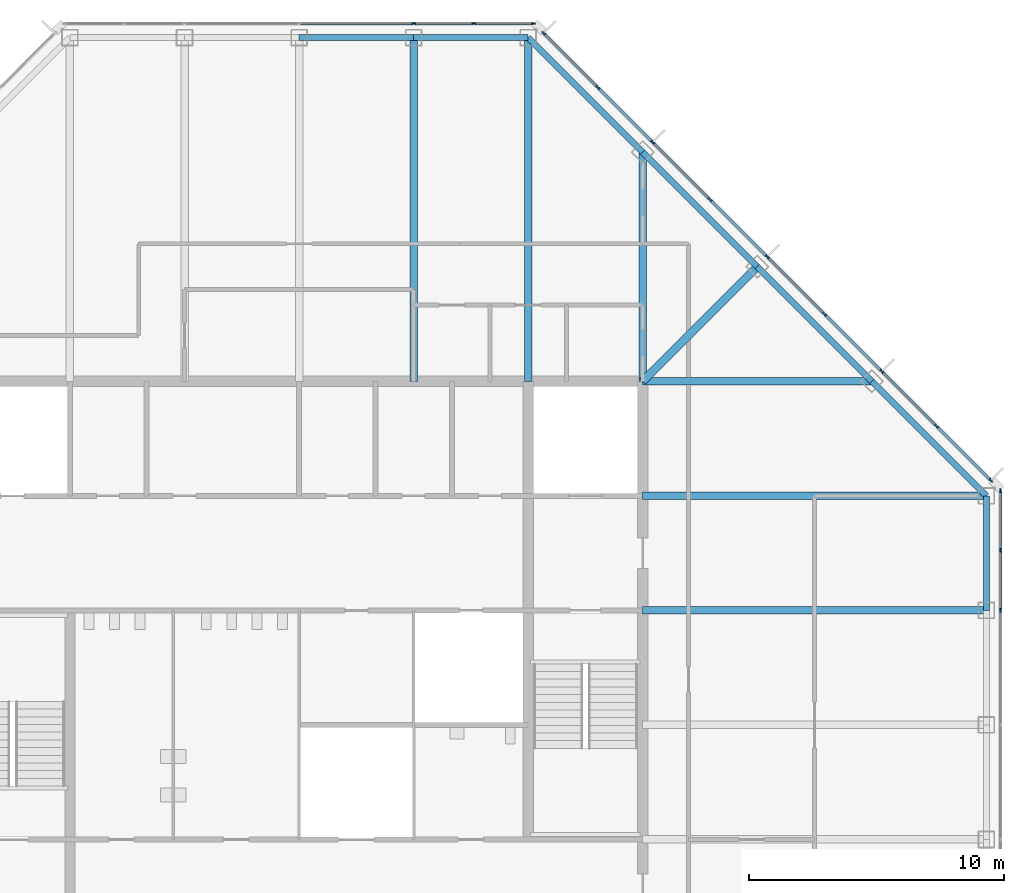
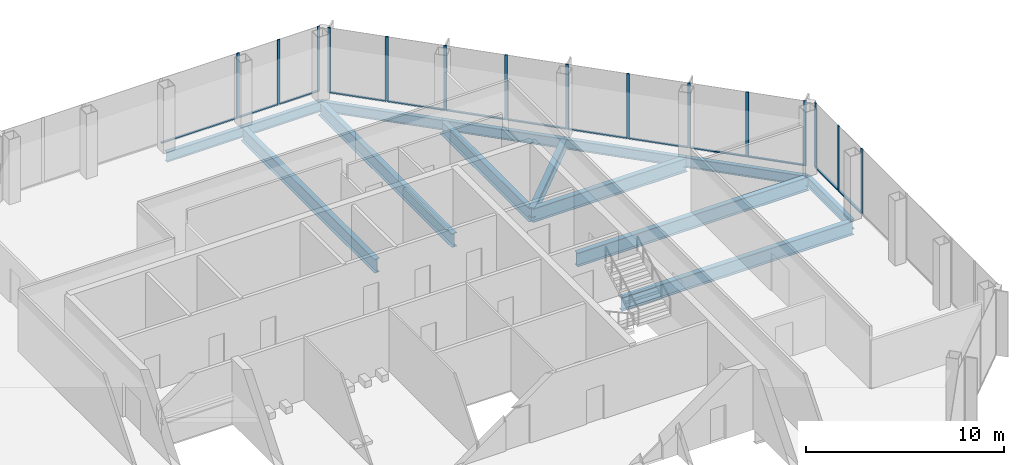
# One storey, part 7 of 14: 28 members, 14 beams, 3 elements without a shape of their own.
"""IFC4 building model written with IfcOpenShell, lengths in metres."""

import ifcopenshell
import ifcopenshell.guid

model = None  # the IFC model being written
_history = None  # IfcOwnerHistory: only IFC2X3 demands one
_inside = {}  # id of a spatial element -> (the spatial element, [elements in it])
_under = {}  # id of a project, library or spatial element -> (it, [spatial elements below it])
_declared = {}  # id of a project -> (the project, [libraries it declares])
_typed = {}  # id of a type object -> (the type object, [elements of that type])
_made_of = {}  # id of a material, layer set ... -> (it, [elements and type objects made of it])


def new_model(schema):
    """Start an empty IFC model of exactly this schema.

    Asked for "IFC4X3", IfcOpenShell would pick the latest addendum, in which some entities
    have other attributes; the version numbers below select the first issue.
    IFC2X3 requires an IfcOwnerHistory on every rooted entity: one is made here for all.
    """
    global model, _history
    if schema == "IFC4X3":
        model = ifcopenshell.file(schema_version=(4, 3, 0, 0))
    else:
        model = ifcopenshell.file(schema=schema)
    _inside.clear()
    _under.clear()
    _declared.clear()
    _typed.clear()
    _made_of.clear()
    _history = None
    if model.schema == "IFC2X3":
        org = make("IfcOrganization", Name="unknown")
        user = make(
            "IfcPersonAndOrganization",
            ThePerson=make("IfcPerson", FamilyName="unknown"),
            TheOrganization=org,
        )
        app = make(
            "IfcApplication",
            ApplicationDeveloper=org,
            Version="unknown",
            ApplicationFullName="unknown",
            ApplicationIdentifier="unknown",
        )
        _history = make(
            "IfcOwnerHistory",
            OwningUser=user,
            OwningApplication=app,
            ChangeAction="ADDED",
            CreationDate=0,
        )
    return model


def make(cls, **values):
    """One entity of the class cls with the attributes given. An attribute that is None is left unset."""
    return model.create_entity(
        cls, **{name: value for name, value in values.items() if value is not None}
    )


def rooted(cls, **values):
    """An entity with a GlobalId (a new one), such as an element, a storey or a relation."""
    return make(cls, GlobalId=ifcopenshell.guid.new(), OwnerHistory=_history, **values)


def si_unit(unit_type, name, prefix=None):
    """IfcSIUnit, for example si_unit("LENGTHUNIT", "METRE", prefix="MILLI")."""
    return make("IfcSIUnit", UnitType=unit_type, Prefix=prefix, Name=name)


def assignment(units):
    """IfcUnitAssignment: the units of a project."""
    return None if units is None else make("IfcUnitAssignment", Units=units)


def point(xyz):
    """IfcCartesianPoint."""
    return None if xyz is None else make("IfcCartesianPoint", Coordinates=xyz)


def direction(xyz):
    """IfcDirection."""
    return None if xyz is None else make("IfcDirection", DirectionRatios=xyz)


def frame(location, z_axis=None, x_axis=None):
    """IfcAxis2Placement3D, a coordinate frame: its origin and axes. An axis left out is left unset."""
    return make(
        "IfcAxis2Placement3D",
        Location=point(location),
        Axis=direction(z_axis),
        RefDirection=direction(x_axis),
    )


def frame_2d(location, x_axis=None):
    """IfcAxis2Placement2D, a coordinate frame in the plane: its origin and x axis."""
    return make(
        "IfcAxis2Placement2D", Location=point(location), RefDirection=direction(x_axis)
    )


def origin():
    """The frame at (0, 0, 0) with its axes left unset."""
    return frame((0.0, 0.0, 0.0))


def origin_2d():
    """The frame at (0, 0) in the plane with its x axis left unset."""
    return frame_2d((0.0, 0.0))


def place(relative_to, where):
    """IfcLocalPlacement: puts the frame where relative to a parent placement (None: the world)."""
    return make(
        "IfcLocalPlacement", PlacementRelTo=relative_to, RelativePlacement=where
    )


def context(
    kind, dimensions, precision=None, world=None, true_north=None, identifier=None
):
    """IfcGeometricRepresentationContext, for example the 3D "Model" context."""
    return make(
        "IfcGeometricRepresentationContext",
        ContextIdentifier=identifier,
        ContextType=kind,
        CoordinateSpaceDimension=dimensions,
        Precision=precision,
        WorldCoordinateSystem=world,
        TrueNorth=true_north,
    )


def subcontext(parent, identifier, kind, view, scale=None):
    """IfcGeometricRepresentationSubContext, for example "Body" below "Model"."""
    return make(
        "IfcGeometricRepresentationSubContext",
        ContextIdentifier=identifier,
        ContextType=kind,
        ParentContext=parent,
        TargetScale=scale,
        TargetView=view,
    )


def project(units=None, contexts=None):
    """IfcProject with its units and contexts."""
    return rooted(
        "IfcProject",
        Name="project",
        RepresentationContexts=contexts,
        UnitsInContext=assignment(units),
    )


def spatial(cls, under=None, at=None, **own):
    """A site, building, storey or space (cls), placed at a placement, below another one or the project."""
    s = rooted(cls, ObjectPlacement=at, **own)
    if under is not None:
        _under.setdefault(under.id(), (under, []))[1].append(s)
    return s


def profile(cls, at=None, kind="AREA", **sizes):
    """A parametric profile (cls). Its sizes go by their IFC names, for example OverallWidth=200.0."""
    return make(cls, ProfileType=kind, Position=at, **sizes)


def rectangle(**sizes):
    """IfcRectangleProfileDef."""
    return profile("IfcRectangleProfileDef", **sizes)


def i_section(**sizes):
    """IfcIShapeProfileDef."""
    return profile("IfcIShapeProfileDef", **sizes)


def extrude(swept, where, along, depth):
    """IfcExtrudedAreaSolid: the profile swept, set in the frame where, extruded along a direction by depth."""
    return make(
        "IfcExtrudedAreaSolid",
        SweptArea=swept,
        Position=where,
        ExtrudedDirection=direction(along),
        Depth=depth,
    )


def shape(context_of_items, identifier, shape_type, items):
    """IfcShapeRepresentation: the items that make up one representation, for example the "Body"."""
    return make(
        "IfcShapeRepresentation",
        ContextOfItems=context_of_items,
        RepresentationIdentifier=identifier,
        RepresentationType=shape_type,
        Items=items,
    )


def material(Name=None, Category=None):
    """IfcMaterial."""
    return make("IfcMaterial", Name=Name, Category=Category)


def material_profile(
    of_material, cross_section, Name=None, Category=None, Priority=None
):
    """IfcMaterialProfile: a cross section and its material."""
    return make(
        "IfcMaterialProfile",
        Name=Name,
        Material=of_material,
        Profile=cross_section,
        Priority=Priority,
        Category=Category,
    )


def profile_set(profiles, Name=None, composite=None):
    """IfcMaterialProfileSet."""
    return make(
        "IfcMaterialProfileSet",
        Name=Name,
        MaterialProfiles=profiles,
        CompositeProfile=composite,
    )


def made_of(thing, what):
    """Note that an element or type object is made of a material, layer set ...; save() writes the relation."""
    if what is not None:
        _made_of.setdefault(what.id(), (what, []))[1].append(thing)
    return thing


def type_object(cls, material=None, **own):
    """A type object (cls), such as IfcWallType, which elements share."""
    return made_of(rooted(cls, **own), material)


def element(
    cls,
    number,
    at=None,
    inside=None,
    cuts=None,
    type_object=None,
    material=None,
    context=None,
    identifier="Body",
    shape_type=None,
    held_by="IfcProductDefinitionShape",
    body=None,
    shapes=None,
    **own,
):
    """One element of the class cls, such as IfcWall. Its Tag is "e" and its number.

    at: its placement. inside: the storey or other place that contains it. cuts: it is an
    opening in that element (IfcRelVoidsElement). A single representation is given by context,
    identifier, shape_type and body (its items); several are given by shapes. held_by: the class
    of the entity that holds the representations. save() writes the other relations.
    """
    e = rooted(cls, Tag="e%d" % number, ObjectPlacement=at, **own)
    if body is not None:
        shapes = [shape(context, identifier, shape_type, body)]
    if shapes is not None:
        e.Representation = make(held_by, Representations=shapes)
    if inside is not None:
        _inside.setdefault(inside.id(), (inside, []))[1].append(e)
    if cuts is not None:
        rooted(
            "IfcRelVoidsElement", RelatingBuildingElement=cuts, RelatedOpeningElement=e
        )
    if type_object is not None:
        _typed.setdefault(type_object.id(), (type_object, []))[1].append(e)
    return made_of(e, material)


def aggregate(whole, parts):
    """IfcRelAggregates: a whole, such as a stair, and the parts it consists of."""
    return rooted("IfcRelAggregates", RelatingObject=whole, RelatedObjects=parts)


def save(model, path):
    """Write the relations noted so far, then the file.

    IfcRelAggregates (storeys below a building ...), IfcRelContainedInSpatialStructure (elements
    in a storey), IfcRelDefinesByType, IfcRelAssociatesMaterial and IfcRelDeclares: one each for
    every whole, place, type object, material and project.
    """
    for whole, parts in _under.values():
        aggregate(whole, parts)
    for where, things in _inside.values():
        rooted(
            "IfcRelContainedInSpatialStructure",
            RelatedElements=things,
            RelatingStructure=where,
        )
    for kind, things in _typed.values():
        rooted("IfcRelDefinesByType", RelatedObjects=things, RelatingType=kind)
    for what, things in _made_of.values():
        rooted("IfcRelAssociatesMaterial", RelatedObjects=things, RelatingMaterial=what)
    for by, libraries in _declared.values():
        rooted("IfcRelDeclares", RelatingContext=by, RelatedDefinitions=libraries)
    model.write(path)


model = new_model("IFC4")

# Units and contexts
model_context = context("Model", 3, precision=1e-05, world=origin(), true_north=direction((0.0, 1.0)))
body_context = subcontext(model_context, "Body", "Model", "MODEL_VIEW")
ifc_project = project(units=[si_unit("LENGTHUNIT", "METRE"), si_unit("AREAUNIT", "SQUARE_METRE"), si_unit("VOLUMEUNIT", "CUBIC_METRE"), si_unit("PLANEANGLEUNIT", "RADIAN"), si_unit("MASSUNIT", "GRAM", prefix="KILO")], contexts=[model_context])

# Site, building, storey
site_placement = place(None, origin())
site = spatial("IfcSite", under=ifc_project, at=site_placement, CompositionType="ELEMENT")
building_placement = place(site_placement, origin())
building = spatial("IfcBuilding", under=site, at=building_placement, Name="Corais Broadcast Tower", CompositionType="ELEMENT")
storey_placement = place(building_placement, frame((0.0, 0.0, 234.60009765625)))
storey = spatial("IfcBuildingStorey", under=building, at=storey_placement, Name="L54", CompositionType="ELEMENT", Elevation=234.60009765625)

# Beams
ifc_material_1 = material(Name="Steel ASTM A572 Grade 50", Category="steel")
ifc_material_profile_1 = material_profile(ifc_material_1, i_section(OverallWidth=0.323974609375, OverallDepth=0.611083984375, WebThickness=0.0126953125, FlangeThickness=0.01904296875, at=origin_2d()), Name="W610x155")
ifc_profile_set_1 = profile_set([ifc_material_profile_1], Name="Steel ASTM A572 Grade 50")
beam_type_1 = type_object("IfcBeamType", Name="Corner diagonal W610x155", PredefinedType="BEAM", material=ifc_profile_set_1)
beam_1_placement = place(storey_placement, frame((45.0, 45.0, -0.465576171875), z_axis=(-0.707106781187, -0.707106781187, 0.0), x_axis=(0.707106781187, -0.707106781187, 0.0)))
element("IfcBeam", 1, at=beam_1_placement, inside=storey, type_object=beam_type_1, Name="B6 L/13 to K/12", PredefinedType="BEAM", context=body_context, shape_type="SweptSolid", body=[
    extrude(i_section(OverallWidth=0.323974609375, OverallDepth=0.611083984375, WebThickness=0.0126953125, FlangeThickness=0.01904296875, at=origin_2d()), origin(), (0.0, 0.0, 1.0), 6.364013671875),
])
ifc_material_2 = material(Name="Steel ASTM A572 Grade 50", Category="steel")
ifc_material_profile_2 = material_profile(ifc_material_2, i_section(OverallWidth=0.2939453125, OverallDepth=0.85107421875, WebThickness=0.01611328125, FlangeThickness=0.02685546875, at=origin_2d()), Name="W840x226")
ifc_profile_set_2 = profile_set([ifc_material_profile_2], Name="Steel ASTM A572 Grade 50")
beam_type_2 = type_object("IfcBeamType", Name="Floor beam W840x226", PredefinedType="BEAM", material=ifc_profile_set_2)
for number, where, z_axis, x_axis, name in (
    (2, (31.5, 54.0, -0.585693359375), (0.0, -1.0, 0.0), (1.0, 0.0, 0.0), "B1 N/10 to K/10"),
    (3, (36.0, 54.0, -0.585693359375), (0.0, -1.0, 0.0), (1.0, 0.0, 0.0), "B1 N/11 to K/11"),
):
    element("IfcBeam", number, at=place(storey_placement, frame(where, z_axis=z_axis, x_axis=x_axis)), inside=storey, type_object=beam_type_2, Name=name, PredefinedType="BEAM", context=body_context, shape_type="SweptSolid", body=[
        extrude(i_section(OverallWidth=0.2939453125, OverallDepth=0.85107421875, WebThickness=0.01611328125, FlangeThickness=0.02685546875, at=origin_2d()), origin(), (0.0, 0.0, 1.0), 13.5),
    ])
for number, where, z_axis, x_axis, name in (
    (4, (40.5, 49.5, -0.585693359375), (0.0, -1.0, 0.0), (1.0, 0.0, 0.0), "B1 M/12 to K/12"),
    (5, (49.5, 40.5, -0.585693359375), (-1.0, 0.0, 0.0), (0.0, -1.0, 0.0), "B1 K/14 to K/12"),
):
    element("IfcBeam", number, at=place(storey_placement, frame(where, z_axis=z_axis, x_axis=x_axis)), inside=storey, type_object=beam_type_2, Name=name, PredefinedType="BEAM", context=body_context, shape_type="SweptSolid", body=[
        extrude(i_section(OverallWidth=0.2939453125, OverallDepth=0.85107421875, WebThickness=0.01611328125, FlangeThickness=0.02685546875, at=origin_2d()), origin(), (0.0, 0.0, 1.0), 9.0),
    ])
for number, where, z_axis, x_axis, name in (
    (6, (54.0, 31.5, -0.585693359375), (-1.0, 0.0, 0.0), (0.0, -1.0, 0.0), "B1 H/15 to H/12"),
    (7, (54.0, 36.0, -0.585693359375), (-1.0, 0.0, 0.0), (0.0, -1.0, 0.0), "B1 J/15 to J/12"),
):
    element("IfcBeam", number, at=place(storey_placement, frame(where, z_axis=z_axis, x_axis=x_axis)), inside=storey, type_object=beam_type_2, Name=name, PredefinedType="BEAM", context=body_context, shape_type="SweptSolid", body=[
        extrude(i_section(OverallWidth=0.2939453125, OverallDepth=0.85107421875, WebThickness=0.01611328125, FlangeThickness=0.02685546875, at=origin_2d()), origin(), (0.0, 0.0, 1.0), 13.5),
    ])

# Curtain wall, members
ifc_material_3 = material(Name="Aluminium and glass", Category="aluminium")
curtain_wall_type = type_object("IfcCurtainWallType", Name="Unitised fritted curtain wall CW3", PredefinedType="NOTDEFINED", material=ifc_material_3)
curtain_wall_1_placement = place(storey_placement, origin())
curtain_wall_1 = element("IfcCurtainWall", 8, at=curtain_wall_1_placement, inside=storey, type_object=curtain_wall_type, Name="CW3 curtain wall L54 4", PredefinedType="NOTDEFINED")
ifc_material_4 = material(Name="Aluminium 6063-T6", Category="aluminium")
ifc_material_profile_3 = material_profile(ifc_material_4, rectangle(XDim=0.06494140625, YDim=0.159912109375, at=origin_2d()), Name="Mullion CW3 65x160")
ifc_profile_set_3 = profile_set([ifc_material_profile_3], Name="Aluminium 6063-T6")
member_type_1 = type_object("IfcMemberType", Name="Mullion CW3 65x160", PredefinedType="MULLION", material=ifc_profile_set_3)
member_1_placement = place(storey_placement, frame((31.5, 54.550048828125, 0.0), z_axis=(0.0, 0.0, 1.0), x_axis=(0.0, 1.0, 0.0)))
member_1 = element("IfcMember", 9, at=member_1_placement, type_object=member_type_1, Name="CW3 mullion 5", PredefinedType="MULLION", context=body_context, shape_type="SweptSolid", body=[
    extrude(rectangle(XDim=0.06494140625, YDim=0.159912109375, at=origin_2d()), origin(), (0.0, 0.0, 1.0), 4.0),
])
member_2_placement = place(storey_placement, frame((33.864013671875, 54.550048828125, 0.0), z_axis=(0.0, 0.0, 1.0), x_axis=(0.0, 1.0, 0.0)))
member_2 = element("IfcMember", 10, at=member_2_placement, type_object=member_type_1, Name="CW3 mullion 6", PredefinedType="MULLION", context=body_context, shape_type="SweptSolid", body=[
    extrude(rectangle(XDim=0.06494140625, YDim=0.159912109375, at=origin_2d()), origin(), (0.0, 0.0, 1.0), 4.0),
])
member_3_placement = place(storey_placement, frame((36.1953125, 54.550048828125, 0.0), z_axis=(0.0, 0.0, 1.0), x_axis=(0.0, 1.0, 0.0)))
member_3 = element("IfcMember", 11, at=member_3_placement, type_object=member_type_1, Name="CW3 mullion 7", PredefinedType="MULLION", context=body_context, shape_type="SweptSolid", body=[
    extrude(rectangle(XDim=0.06494140625, YDim=0.159912109375, at=origin_2d()), origin(), (0.0, 0.0, 1.0), 4.0),
])

curtain_wall_2_placement = place(storey_placement, origin())
curtain_wall_2 = element("IfcCurtainWall", 12, at=curtain_wall_2_placement, inside=storey, type_object=curtain_wall_type, Name="CW3 curtain wall L54 5", PredefinedType="NOTDEFINED")
member_4_placement = place(storey_placement, frame((36.6044921875, 54.17333984375, 0.0), z_axis=(0.0, 0.0, 1.0), x_axis=(0.707106781187, 0.707106781187, 0.0)))
member_4 = element("IfcMember", 13, at=member_4_placement, type_object=member_type_1, Name="CW3 mullion 1", PredefinedType="MULLION", context=body_context, shape_type="SweptSolid", body=[
    extrude(rectangle(XDim=0.06494140625, YDim=0.159912109375, at=origin_2d()), origin(), (0.0, 0.0, 1.0), 4.0),
])
member_5_placement = place(storey_placement, frame((38.735107421875, 52.042724609375, 0.0), z_axis=(0.0, 0.0, 1.0), x_axis=(0.707106781187, 0.707106781187, 0.0)))
member_5 = element("IfcMember", 14, at=member_5_placement, type_object=member_type_1, Name="CW3 mullion 2", PredefinedType="MULLION", context=body_context, shape_type="SweptSolid", body=[
    extrude(rectangle(XDim=0.06494140625, YDim=0.159912109375, at=origin_2d()), origin(), (0.0, 0.0, 1.0), 4.0),
])
member_6_placement = place(storey_placement, frame((40.888916015625, 49.888916015625, 0.0), z_axis=(0.0, 0.0, 1.0), x_axis=(0.707106781187, 0.707106781187, 0.0)))
member_6 = element("IfcMember", 15, at=member_6_placement, type_object=member_type_1, Name="CW3 mullion 3", PredefinedType="MULLION", context=body_context, shape_type="SweptSolid", body=[
    extrude(rectangle(XDim=0.06494140625, YDim=0.159912109375, at=origin_2d()), origin(), (0.0, 0.0, 1.0), 4.0),
])
member_7_placement = place(storey_placement, frame((43.138916015625, 47.638916015625, 0.0), z_axis=(0.0, 0.0, 1.0), x_axis=(0.707106781187, 0.707106781187, 0.0)))
member_7 = element("IfcMember", 16, at=member_7_placement, type_object=member_type_1, Name="CW3 mullion 4", PredefinedType="MULLION", context=body_context, shape_type="SweptSolid", body=[
    extrude(rectangle(XDim=0.06494140625, YDim=0.159912109375, at=origin_2d()), origin(), (0.0, 0.0, 1.0), 4.0),
])
member_8_placement = place(storey_placement, frame((45.388916015625, 45.388916015625, 0.0), z_axis=(0.0, 0.0, 1.0), x_axis=(0.707106781187, 0.707106781187, 0.0)))
member_8 = element("IfcMember", 17, at=member_8_placement, type_object=member_type_1, Name="CW3 mullion 5", PredefinedType="MULLION", context=body_context, shape_type="SweptSolid", body=[
    extrude(rectangle(XDim=0.06494140625, YDim=0.159912109375, at=origin_2d()), origin(), (0.0, 0.0, 1.0), 4.0),
])
member_9_placement = place(storey_placement, frame((47.638916015625, 43.138916015625, 0.0), z_axis=(0.0, 0.0, 1.0), x_axis=(0.707106781187, 0.707106781187, 0.0)))
member_9 = element("IfcMember", 18, at=member_9_placement, type_object=member_type_1, Name="CW3 mullion 6", PredefinedType="MULLION", context=body_context, shape_type="SweptSolid", body=[
    extrude(rectangle(XDim=0.06494140625, YDim=0.159912109375, at=origin_2d()), origin(), (0.0, 0.0, 1.0), 4.0),
])
member_10_placement = place(storey_placement, frame((49.888916015625, 40.888916015625, 0.0), z_axis=(0.0, 0.0, 1.0), x_axis=(0.707106781187, 0.707106781187, 0.0)))
member_10 = element("IfcMember", 19, at=member_10_placement, type_object=member_type_1, Name="CW3 mullion 7", PredefinedType="MULLION", context=body_context, shape_type="SweptSolid", body=[
    extrude(rectangle(XDim=0.06494140625, YDim=0.159912109375, at=origin_2d()), origin(), (0.0, 0.0, 1.0), 4.0),
])
member_11_placement = place(storey_placement, frame((52.042724609375, 38.735107421875, 0.0), z_axis=(0.0, 0.0, 1.0), x_axis=(0.707106781187, 0.707106781187, 0.0)))
member_11 = element("IfcMember", 20, at=member_11_placement, type_object=member_type_1, Name="CW3 mullion 8", PredefinedType="MULLION", context=body_context, shape_type="SweptSolid", body=[
    extrude(rectangle(XDim=0.06494140625, YDim=0.159912109375, at=origin_2d()), origin(), (0.0, 0.0, 1.0), 4.0),
])
member_12_placement = place(storey_placement, frame((54.17333984375, 36.6044921875, 0.0), z_axis=(0.0, 0.0, 1.0), x_axis=(0.707106781187, 0.707106781187, 0.0)))
member_12 = element("IfcMember", 21, at=member_12_placement, type_object=member_type_1, Name="CW3 mullion 9", PredefinedType="MULLION", context=body_context, shape_type="SweptSolid", body=[
    extrude(rectangle(XDim=0.06494140625, YDim=0.159912109375, at=origin_2d()), origin(), (0.0, 0.0, 1.0), 4.0),
])

curtain_wall_3_placement = place(storey_placement, origin())
curtain_wall_3 = element("IfcCurtainWall", 22, at=curtain_wall_3_placement, inside=storey, type_object=curtain_wall_type, Name="CW3 curtain wall L54 6", PredefinedType="NOTDEFINED")
member_13_placement = place(storey_placement, frame((54.550048828125, 36.1953125, 0.0), z_axis=(0.0, 0.0, 1.0), x_axis=(1.0, 0.0, 0.0)))
member_13 = element("IfcMember", 23, at=member_13_placement, type_object=member_type_1, Name="CW3 mullion 1", PredefinedType="MULLION", context=body_context, shape_type="SweptSolid", body=[
    extrude(rectangle(XDim=0.06494140625, YDim=0.159912109375, at=origin_2d()), origin(), (0.0, 0.0, 1.0), 4.0),
])
member_14_placement = place(storey_placement, frame((54.550048828125, 33.864013671875, 0.0), z_axis=(0.0, 0.0, 1.0), x_axis=(1.0, 0.0, 0.0)))
member_14 = element("IfcMember", 24, at=member_14_placement, type_object=member_type_1, Name="CW3 mullion 2", PredefinedType="MULLION", context=body_context, shape_type="SweptSolid", body=[
    extrude(rectangle(XDim=0.06494140625, YDim=0.159912109375, at=origin_2d()), origin(), (0.0, 0.0, 1.0), 4.0),
])
member_15_placement = place(storey_placement, frame((54.550048828125, 31.5, 0.0), z_axis=(0.0, 0.0, 1.0), x_axis=(1.0, 0.0, 0.0)))
member_15 = element("IfcMember", 25, at=member_15_placement, type_object=member_type_1, Name="CW3 mullion 3", PredefinedType="MULLION", context=body_context, shape_type="SweptSolid", body=[
    extrude(rectangle(XDim=0.06494140625, YDim=0.159912109375, at=origin_2d()), origin(), (0.0, 0.0, 1.0), 4.0),
])

# Beams
ifc_material_5 = material(Name="Steel ASTM A572 Grade 50", Category="steel")
ifc_material_profile_4 = material_profile(ifc_material_5, i_section(OverallWidth=0.22998046875, OverallDepth=0.616943359375, WebThickness=0.01318359375, FlangeThickness=0.022216796875, at=origin_2d()), Name="W610x140")
ifc_profile_set_4 = profile_set([ifc_material_profile_4], Name="Steel ASTM A572 Grade 50")
beam_type_3 = type_object("IfcBeamType", Name="Spandrel W610x140", PredefinedType="BEAM", material=ifc_profile_set_4)
for number, where, z_axis, x_axis, name in (
    (26, (31.5, 54.0, -0.468505859375), (-1.0, 0.0, 0.0), (0.0, -1.0, 0.0), "SB3 N/10 to N/9"),
    (27, (36.0, 54.0, -0.468505859375), (-1.0, 0.0, 0.0), (0.0, -1.0, 0.0), "SB3 N/11 to N/10"),
):
    element("IfcBeam", number, at=place(storey_placement, frame(where, z_axis=z_axis, x_axis=x_axis)), inside=storey, type_object=beam_type_3, Name=name, PredefinedType="BEAM", context=body_context, shape_type="SweptSolid", body=[
        extrude(i_section(OverallWidth=0.22998046875, OverallDepth=0.616943359375, WebThickness=0.01318359375, FlangeThickness=0.022216796875, at=origin_2d()), origin(), (0.0, 0.0, 1.0), 4.5),
    ])
for number, where, z_axis, x_axis, name in (
    (28, (40.5, 49.5, -0.468505859375), (-0.707106781187, 0.707106781187, 0.0), (-0.707106781187, -0.707106781187, 0.0), "SB3 M/12 to N/11"),
    (29, (45.0, 45.0, -0.468505859375), (-0.707106781187, 0.707106781187, 0.0), (-0.707106781187, -0.707106781187, 0.0), "SB3 L/13 to M/12"),
    (30, (49.5, 40.5, -0.468505859375), (-0.707106781187, 0.707106781187, 0.0), (-0.707106781187, -0.707106781187, 0.0), "SB3 K/14 to L/13"),
):
    element("IfcBeam", number, at=place(storey_placement, frame(where, z_axis=z_axis, x_axis=x_axis)), inside=storey, type_object=beam_type_3, Name=name, PredefinedType="BEAM", context=body_context, shape_type="SweptSolid", body=[
        extrude(i_section(OverallWidth=0.22998046875, OverallDepth=0.616943359375, WebThickness=0.01318359375, FlangeThickness=0.022216796875, at=origin_2d()), origin(), (0.0, 0.0, 1.0), 6.364013671875),
    ])
beam_2_placement = place(storey_placement, frame((54.0, 31.5, -0.468505859375), z_axis=(0.0, 1.0, 0.0), x_axis=(-1.0, 0.0, 0.0)))
element("IfcBeam", 31, at=beam_2_placement, inside=storey, type_object=beam_type_3, Name="SB3 H/15 to J/15", PredefinedType="BEAM", context=body_context, shape_type="SweptSolid", body=[
    extrude(i_section(OverallWidth=0.22998046875, OverallDepth=0.616943359375, WebThickness=0.01318359375, FlangeThickness=0.022216796875, at=origin_2d()), origin(), (0.0, 0.0, 1.0), 4.5),
])
beam_3_placement = place(storey_placement, frame((54.0, 36.0, -0.468505859375), z_axis=(-0.707106781187, 0.707106781187, 0.0), x_axis=(-0.707106781187, -0.707106781187, 0.0)))
element("IfcBeam", 32, at=beam_3_placement, inside=storey, type_object=beam_type_3, Name="SB3 J/15 to K/14", PredefinedType="BEAM", context=body_context, shape_type="SweptSolid", body=[
    extrude(i_section(OverallWidth=0.22998046875, OverallDepth=0.616943359375, WebThickness=0.01318359375, FlangeThickness=0.022216796875, at=origin_2d()), origin(), (0.0, 0.0, 1.0), 6.364013671875),
])

# Member
ifc_material_6 = material(Name="Aluminium 6063-T6", Category="aluminium")
ifc_material_profile_5 = material_profile(ifc_material_6, rectangle(XDim=0.1201171875, YDim=0.06494140625, at=origin_2d()), Name="Transom CW3 65x120")
ifc_profile_set_5 = profile_set([ifc_material_profile_5], Name="Aluminium 6063-T6")
member_type_2 = type_object("IfcMemberType", Name="Transom CW3 65x120", PredefinedType="USERDEFINED", material=ifc_profile_set_5)
member_16_placement = place(storey_placement, frame((27.032470703125, 54.550048828125, 0.032470703125), z_axis=(1.0, 0.0, 0.0), x_axis=(0.0, 1.0, 0.0)))
member_16 = element("IfcMember", 33, at=member_16_placement, type_object=member_type_2, Name="CW3 transom 4.1", ObjectType="TRANSOM", PredefinedType="USERDEFINED", context=body_context, shape_type="SweptSolid", body=[
    extrude(rectangle(XDim=0.1201171875, YDim=0.06494140625, at=origin_2d()), origin(), (0.0, 0.0, 1.0), 4.43505859375),
])

member_17_placement = place(storey_placement, frame((31.532470703125, 54.550048828125, 0.032470703125), z_axis=(1.0, 0.0, 0.0), x_axis=(0.0, 1.0, 0.0)))
member_17 = element("IfcMember", 34, at=member_17_placement, type_object=member_type_2, Name="CW3 transom 5.1", ObjectType="TRANSOM", PredefinedType="USERDEFINED", context=body_context, shape_type="SweptSolid", body=[
    extrude(rectangle(XDim=0.1201171875, YDim=0.06494140625, at=origin_2d()), origin(), (0.0, 0.0, 1.0), 2.298828125),
])

member_18_placement = place(storey_placement, frame((33.896484375, 54.550048828125, 0.032470703125), z_axis=(1.0, 0.0, 0.0), x_axis=(0.0, 1.0, 0.0)))
member_18 = element("IfcMember", 35, at=member_18_placement, type_object=member_type_2, Name="CW3 transom 6.1", ObjectType="TRANSOM", PredefinedType="USERDEFINED", context=body_context, shape_type="SweptSolid", body=[
    extrude(rectangle(XDim=0.1201171875, YDim=0.06494140625, at=origin_2d()), origin(), (0.0, 0.0, 1.0), 2.266357421875),
])

aggregate(curtain_wall_1, [member_1, member_2, member_3, member_16, member_17, member_18])

member_19_placement = place(storey_placement, frame((36.62744140625, 54.150390625, 0.032470703125), z_axis=(0.707106781187, -0.707106781187, 0.0), x_axis=(0.707106781187, 0.707106781187, 0.0)))
member_19 = element("IfcMember", 36, at=member_19_placement, type_object=member_type_2, Name="CW3 transom 1.1", ObjectType="TRANSOM", PredefinedType="USERDEFINED", context=body_context, shape_type="SweptSolid", body=[
    extrude(rectangle(XDim=0.1201171875, YDim=0.06494140625, at=origin_2d()), origin(), (0.0, 0.0, 1.0), 2.9482421875),
])

member_20_placement = place(storey_placement, frame((38.758056640625, 52.019775390625, 0.032470703125), z_axis=(0.707106781187, -0.707106781187, 0.0), x_axis=(0.707106781187, 0.707106781187, 0.0)))
member_20 = element("IfcMember", 37, at=member_20_placement, type_object=member_type_2, Name="CW3 transom 2.1", ObjectType="TRANSOM", PredefinedType="USERDEFINED", context=body_context, shape_type="SweptSolid", body=[
    extrude(rectangle(XDim=0.1201171875, YDim=0.06494140625, at=origin_2d()), origin(), (0.0, 0.0, 1.0), 2.98095703125),
])

member_21_placement = place(storey_placement, frame((40.911865234375, 49.865966796875, 0.032470703125), z_axis=(0.707106781187, -0.707106781187, 0.0), x_axis=(0.707106781187, 0.707106781187, 0.0)))
member_21 = element("IfcMember", 38, at=member_21_placement, type_object=member_type_2, Name="CW3 transom 3.1", ObjectType="TRANSOM", PredefinedType="USERDEFINED", context=body_context, shape_type="SweptSolid", body=[
    extrude(rectangle(XDim=0.1201171875, YDim=0.06494140625, at=origin_2d()), origin(), (0.0, 0.0, 1.0), 3.1171875),
])

member_22_placement = place(storey_placement, frame((43.161865234375, 47.615966796875, 0.032470703125), z_axis=(0.707106781187, -0.707106781187, 0.0), x_axis=(0.707106781187, 0.707106781187, 0.0)))
member_22 = element("IfcMember", 39, at=member_22_placement, type_object=member_type_2, Name="CW3 transom 4.1", ObjectType="TRANSOM", PredefinedType="USERDEFINED", context=body_context, shape_type="SweptSolid", body=[
    extrude(rectangle(XDim=0.1201171875, YDim=0.06494140625, at=origin_2d()), origin(), (0.0, 0.0, 1.0), 3.1171875),
])

member_23_placement = place(storey_placement, frame((45.411865234375, 45.365966796875, 0.032470703125), z_axis=(0.707106781187, -0.707106781187, 0.0), x_axis=(0.707106781187, 0.707106781187, 0.0)))
member_23 = element("IfcMember", 40, at=member_23_placement, type_object=member_type_2, Name="CW3 transom 5.1", ObjectType="TRANSOM", PredefinedType="USERDEFINED", context=body_context, shape_type="SweptSolid", body=[
    extrude(rectangle(XDim=0.1201171875, YDim=0.06494140625, at=origin_2d()), origin(), (0.0, 0.0, 1.0), 3.1171875),
])

member_24_placement = place(storey_placement, frame((47.661865234375, 43.115966796875, 0.032470703125), z_axis=(0.707106781187, -0.707106781187, 0.0), x_axis=(0.707106781187, 0.707106781187, 0.0)))
member_24 = element("IfcMember", 41, at=member_24_placement, type_object=member_type_2, Name="CW3 transom 6.1", ObjectType="TRANSOM", PredefinedType="USERDEFINED", context=body_context, shape_type="SweptSolid", body=[
    extrude(rectangle(XDim=0.1201171875, YDim=0.06494140625, at=origin_2d()), origin(), (0.0, 0.0, 1.0), 3.1171875),
])

member_25_placement = place(storey_placement, frame((49.911865234375, 40.865966796875, 0.032470703125), z_axis=(0.707065828661, -0.70714773134, 0.0), x_axis=(0.70714773134, 0.707065828661, 0.0)))
member_25 = element("IfcMember", 42, at=member_25_placement, type_object=member_type_2, Name="CW3 transom 7.1", ObjectType="TRANSOM", PredefinedType="USERDEFINED", context=body_context, shape_type="SweptSolid", body=[
    extrude(rectangle(XDim=0.1201171875, YDim=0.06494140625, at=origin_2d()), origin(), (0.0, 0.0, 1.0), 2.98095703125),
])

member_26_placement = place(storey_placement, frame((52.065673828125, 38.712158203125, 0.032470703125), z_axis=(0.707106781187, -0.707106781187, 0.0), x_axis=(0.707106781187, 0.707106781187, 0.0)))
member_26 = element("IfcMember", 43, at=member_26_placement, type_object=member_type_2, Name="CW3 transom 8.1", ObjectType="TRANSOM", PredefinedType="USERDEFINED", context=body_context, shape_type="SweptSolid", body=[
    extrude(rectangle(XDim=0.1201171875, YDim=0.06494140625, at=origin_2d()), origin(), (0.0, 0.0, 1.0), 2.9482421875),
])

aggregate(curtain_wall_2, [member_4, member_5, member_6, member_7, member_8, member_9, member_10, member_11, member_12, member_19, member_20, member_21, member_22, member_23, member_24, member_25, member_26])

member_27_placement = place(storey_placement, frame((54.550048828125, 36.162841796875, 0.032470703125), z_axis=(0.0, -1.0, 0.0), x_axis=(1.0, 0.0, 0.0)))
member_27 = element("IfcMember", 44, at=member_27_placement, type_object=member_type_2, Name="CW3 transom 1.1", ObjectType="TRANSOM", PredefinedType="USERDEFINED", context=body_context, shape_type="SweptSolid", body=[
    extrude(rectangle(XDim=0.1201171875, YDim=0.06494140625, at=origin_2d()), origin(), (0.0, 0.0, 1.0), 2.266357421875),
])

member_28_placement = place(storey_placement, frame((54.550048828125, 33.831298828125, 0.032470703125), z_axis=(0.0, -1.0, 0.0), x_axis=(1.0, 0.0, 0.0)))
member_28 = element("IfcMember", 45, at=member_28_placement, type_object=member_type_2, Name="CW3 transom 2.1", ObjectType="TRANSOM", PredefinedType="USERDEFINED", context=body_context, shape_type="SweptSolid", body=[
    extrude(rectangle(XDim=0.1201171875, YDim=0.06494140625, at=origin_2d()), origin(), (0.0, 0.0, 1.0), 2.298828125),
])

aggregate(curtain_wall_3, [member_13, member_14, member_15, member_27, member_28])

save(model, "model.ifc")
